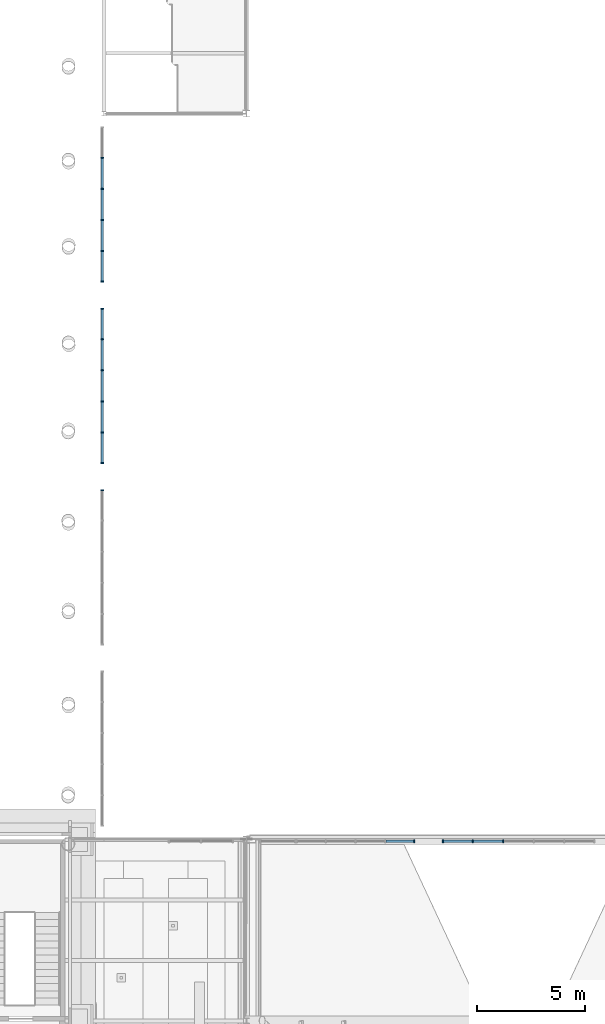
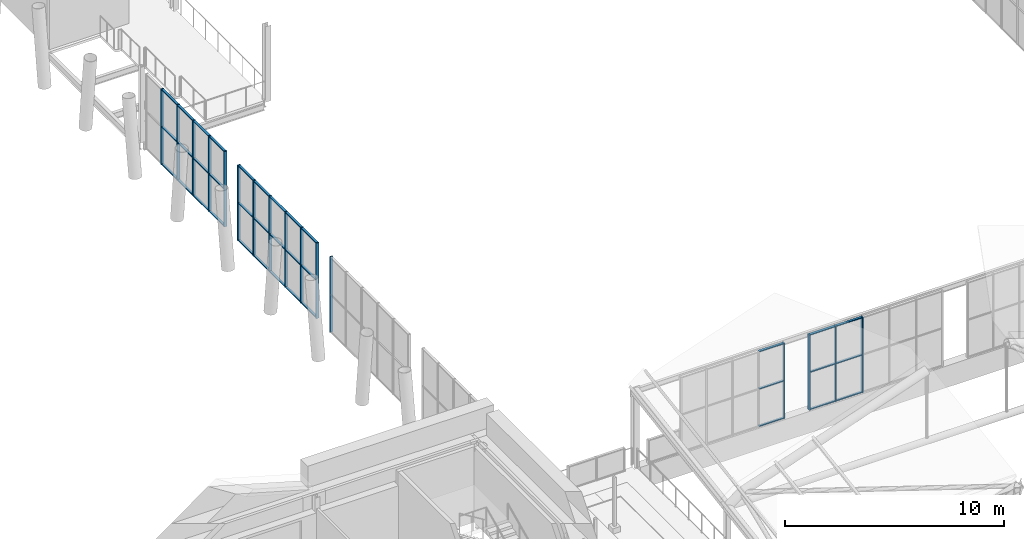
# One storey, part 20 of 76: 52 members, 5 elements without a shape of their own.
"""IFC4 building model written with IfcOpenShell, lengths in metres."""

from ifc_helpers import new_model, si_unit, direction, frame, origin, origin_2d, place, context, subcontext, project, spatial, rectangle, extrude, material, material_profile, profile_set, type_object, element, aggregate, save


model = new_model("IFC4")

# Units and contexts
model_context = context("Model", 3, precision=1e-05, world=origin(), true_north=direction((0.0, 1.0)))
body_context = subcontext(model_context, "Body", "Model", "MODEL_VIEW")
ifc_project = project(units=[si_unit("LENGTHUNIT", "METRE"), si_unit("AREAUNIT", "SQUARE_METRE"), si_unit("VOLUMEUNIT", "CUBIC_METRE"), si_unit("PLANEANGLEUNIT", "RADIAN"), si_unit("MASSUNIT", "GRAM", prefix="KILO")], contexts=[model_context])

# Site, building, storey
site_placement = place(None, origin())
site = spatial("IfcSite", under=ifc_project, at=site_placement, CompositionType="ELEMENT")
building_placement = place(site_placement, origin())
building = spatial("IfcBuilding", under=site, at=building_placement, Name="Sava Quay Ferry Terminal", CompositionType="ELEMENT")
storey_placement = place(building_placement, frame((0.0, 0.0, 10.800048828125)))
storey = spatial("IfcBuildingStorey", under=building, at=storey_placement, Name="L02", CompositionType="ELEMENT", Elevation=10.800048828125)

# Curtain wall, member
ifc_material_1 = material(Name="Aluminium and glass curtain wall, double low-e glazed", Category="aluminium")
curtain_wall_type_1 = type_object("IfcCurtainWallType", Name="Curtain wall CW-G gable", PredefinedType="NOTDEFINED", material=ifc_material_1)
curtain_wall_1_placement = place(storey_placement, origin())
curtain_wall_1 = element("IfcCurtainWall", 1, at=curtain_wall_1_placement, inside=storey, type_object=curtain_wall_type_1, Name="Curtain wall D-S L02 bay 21", PredefinedType="NOTDEFINED")
ifc_material_2 = material(Name="Aluminium EN AW-6063 T6", Category="aluminium")
ifc_material_profile_1 = material_profile(ifc_material_2, rectangle(XDim=0.14990234375, YDim=0.06005859375, at=origin_2d()), Name="Mullion 60x150 aluminium")
ifc_profile_set_1 = profile_set([ifc_material_profile_1], Name="Aluminium EN AW-6063 T6")
member_type_1 = type_object("IfcMemberType", Name="Mullion 60x150 aluminium", PredefinedType="MULLION", material=ifc_profile_set_1)
member_1_placement = place(storey_placement, frame((58.169921875, 50.31494140625, 0.0), z_axis=(0.0, 0.0, 1.0), x_axis=(0.0, 1.0, 0.0)))
member_1 = element("IfcMember", 2, at=member_1_placement, type_object=member_type_1, Name="CW90 mullion 5", PredefinedType="MULLION", context=body_context, shape_type="SweptSolid", body=[
    extrude(rectangle(XDim=0.14990234375, YDim=0.06005859375, at=origin_2d()), origin(), (0.0, 0.0, 1.0), 4.199951171875),
])

# Curtain wall, members
curtain_wall_2_placement = place(storey_placement, origin())
curtain_wall_2 = element("IfcCurtainWall", 3, at=curtain_wall_2_placement, inside=storey, type_object=curtain_wall_type_1, Name="Curtain wall D-S L02 bay 31", PredefinedType="NOTDEFINED")
member_2_placement = place(storey_placement, frame((59.5, 50.31494140625, 0.0), z_axis=(0.0, 0.0, 1.0), x_axis=(0.0, 1.0, 0.0)))
member_2 = element("IfcMember", 4, at=member_2_placement, type_object=member_type_1, Name="CW91 mullion 1", PredefinedType="MULLION", context=body_context, shape_type="SweptSolid", body=[
    extrude(rectangle(XDim=0.14990234375, YDim=0.06005859375, at=origin_2d()), origin(), (0.0, 0.0, 1.0), 4.199951171875),
])
member_3_placement = place(storey_placement, frame((60.882080078125, 50.31494140625, 0.0), z_axis=(0.0, 0.0, 1.0), x_axis=(0.0, 1.0, 0.0)))
member_3 = element("IfcMember", 5, at=member_3_placement, type_object=member_type_1, Name="CW91 mullion 2", PredefinedType="MULLION", context=body_context, shape_type="SweptSolid", body=[
    extrude(rectangle(XDim=0.14990234375, YDim=0.06005859375, at=origin_2d()), origin(), (0.0, 0.0, 1.0), 4.199951171875),
])
member_4_placement = place(storey_placement, frame((62.2939453125, 50.31494140625, 0.0), z_axis=(0.0, 0.0, 1.0), x_axis=(0.0, 1.0, 0.0)))
member_4 = element("IfcMember", 6, at=member_4_placement, type_object=member_type_1, Name="CW91 mullion 3", PredefinedType="MULLION", context=body_context, shape_type="SweptSolid", body=[
    extrude(rectangle(XDim=0.14990234375, YDim=0.06005859375, at=origin_2d()), origin(), (0.0, 0.0, 1.0), 4.199951171875),
])

# Curtain wall, member
ifc_material_3 = material(Name="Aluminium and glass curtain wall, double low-e glazed", Category="aluminium")
curtain_wall_type_2 = type_object("IfcCurtainWallType", Name="Curtain wall CW-F flank", PredefinedType="NOTDEFINED", material=ifc_material_3)
curtain_wall_3_placement = place(storey_placement, origin())
curtain_wall_3 = element("IfcCurtainWall", 7, at=curtain_wall_3_placement, inside=storey, type_object=curtain_wall_type_2, Name="Curtain wall D-W L02 bay 2", PredefinedType="NOTDEFINED")
member_5_placement = place(storey_placement, frame((43.72509765625, 66.570068359375, 0.0), z_axis=(0.0, 0.0, 1.0), x_axis=(-1.0, 0.0, 0.0)))
member_5 = element("IfcMember", 8, at=member_5_placement, type_object=member_type_1, Name="CW101 mullion 6", PredefinedType="MULLION", context=body_context, shape_type="SweptSolid", body=[
    extrude(rectangle(XDim=0.14990234375, YDim=0.06005859375, at=origin_2d()), origin(), (0.0, 0.0, 1.0), 4.199951171875),
])
aggregate(curtain_wall_3, [member_5])

# Curtain wall, members
curtain_wall_4_placement = place(storey_placement, origin())
curtain_wall_4 = element("IfcCurtainWall", 9, at=curtain_wall_4_placement, inside=storey, type_object=curtain_wall_type_2, Name="Curtain wall D-W L02 bay 3", PredefinedType="NOTDEFINED")
member_6_placement = place(storey_placement, frame((43.72509765625, 67.830078125, 0.0), z_axis=(0.0, 0.0, 1.0), x_axis=(-1.0, 0.0, 0.0)))
member_6 = element("IfcMember", 10, at=member_6_placement, type_object=member_type_1, Name="CW105 mullion 1", PredefinedType="MULLION", context=body_context, shape_type="SweptSolid", body=[
    extrude(rectangle(XDim=0.14990234375, YDim=0.06005859375, at=origin_2d()), origin(), (0.0, 0.0, 1.0), 4.199951171875),
])
member_7_placement = place(storey_placement, frame((43.72509765625, 69.239990234375, 0.0), z_axis=(0.0, 0.0, 1.0), x_axis=(-1.0, 0.0, 0.0)))
member_7 = element("IfcMember", 11, at=member_7_placement, type_object=member_type_1, Name="CW105 mullion 2", PredefinedType="MULLION", context=body_context, shape_type="SweptSolid", body=[
    extrude(rectangle(XDim=0.14990234375, YDim=0.06005859375, at=origin_2d()), origin(), (0.0, 0.0, 1.0), 4.199951171875),
])
member_8_placement = place(storey_placement, frame((43.72509765625, 70.679931640625, 0.0), z_axis=(0.0, 0.0, 1.0), x_axis=(-1.0, 0.0, 0.0)))
member_8 = element("IfcMember", 12, at=member_8_placement, type_object=member_type_1, Name="CW105 mullion 3", PredefinedType="MULLION", context=body_context, shape_type="SweptSolid", body=[
    extrude(rectangle(XDim=0.14990234375, YDim=0.06005859375, at=origin_2d()), origin(), (0.0, 0.0, 1.0), 4.199951171875),
])
member_9_placement = place(storey_placement, frame((43.72509765625, 72.1201171875, 0.0), z_axis=(0.0, 0.0, 1.0), x_axis=(-1.0, 0.0, 0.0)))
member_9 = element("IfcMember", 13, at=member_9_placement, type_object=member_type_1, Name="CW105 mullion 4", PredefinedType="MULLION", context=body_context, shape_type="SweptSolid", body=[
    extrude(rectangle(XDim=0.14990234375, YDim=0.06005859375, at=origin_2d()), origin(), (0.0, 0.0, 1.0), 4.199951171875),
])
member_10_placement = place(storey_placement, frame((43.72509765625, 73.56005859375, 0.0), z_axis=(0.0, 0.0, 1.0), x_axis=(-1.0, 0.0, 0.0)))
member_10 = element("IfcMember", 14, at=member_10_placement, type_object=member_type_1, Name="CW105 mullion 5", PredefinedType="MULLION", context=body_context, shape_type="SweptSolid", body=[
    extrude(rectangle(XDim=0.14990234375, YDim=0.06005859375, at=origin_2d()), origin(), (0.0, 0.0, 1.0), 4.199951171875),
])
member_11_placement = place(storey_placement, frame((43.72509765625, 74.969970703125, 0.0), z_axis=(0.0, 0.0, 1.0), x_axis=(-1.0, 0.0, 0.0)))
member_11 = element("IfcMember", 15, at=member_11_placement, type_object=member_type_1, Name="CW105 mullion 6", PredefinedType="MULLION", context=body_context, shape_type="SweptSolid", body=[
    extrude(rectangle(XDim=0.14990234375, YDim=0.06005859375, at=origin_2d()), origin(), (0.0, 0.0, 1.0), 4.199951171875),
])

curtain_wall_5_placement = place(storey_placement, origin())
curtain_wall_5 = element("IfcCurtainWall", 16, at=curtain_wall_5_placement, inside=storey, type_object=curtain_wall_type_2, Name="Curtain wall D-W L02 bay 4", PredefinedType="NOTDEFINED")
member_12_placement = place(storey_placement, frame((43.72509765625, 76.22998046875, 0.0), z_axis=(0.0, 0.0, 1.0), x_axis=(-1.0, 0.0, 0.0)))
member_12 = element("IfcMember", 17, at=member_12_placement, type_object=member_type_1, Name="CW108 mullion 1", PredefinedType="MULLION", context=body_context, shape_type="SweptSolid", body=[
    extrude(rectangle(XDim=0.14990234375, YDim=0.06005859375, at=origin_2d()), origin(), (0.0, 0.0, 1.0), 4.199951171875),
])
member_13_placement = place(storey_placement, frame((43.72509765625, 77.639892578125, 0.0), z_axis=(0.0, 0.0, 1.0), x_axis=(-1.0, 0.0, 0.0)))
member_13 = element("IfcMember", 18, at=member_13_placement, type_object=member_type_1, Name="CW108 mullion 2", PredefinedType="MULLION", context=body_context, shape_type="SweptSolid", body=[
    extrude(rectangle(XDim=0.14990234375, YDim=0.06005859375, at=origin_2d()), origin(), (0.0, 0.0, 1.0), 4.199951171875),
])
member_14_placement = place(storey_placement, frame((43.72509765625, 79.080078125, 0.0), z_axis=(0.0, 0.0, 1.0), x_axis=(-1.0, 0.0, 0.0)))
member_14 = element("IfcMember", 19, at=member_14_placement, type_object=member_type_1, Name="CW108 mullion 3", PredefinedType="MULLION", context=body_context, shape_type="SweptSolid", body=[
    extrude(rectangle(XDim=0.14990234375, YDim=0.06005859375, at=origin_2d()), origin(), (0.0, 0.0, 1.0), 4.199951171875),
])
member_15_placement = place(storey_placement, frame((43.72509765625, 80.52001953125, 0.0), z_axis=(0.0, 0.0, 1.0), x_axis=(-1.0, 0.0, 0.0)))
member_15 = element("IfcMember", 20, at=member_15_placement, type_object=member_type_1, Name="CW108 mullion 4", PredefinedType="MULLION", context=body_context, shape_type="SweptSolid", body=[
    extrude(rectangle(XDim=0.14990234375, YDim=0.06005859375, at=origin_2d()), origin(), (0.0, 0.0, 1.0), 4.199951171875),
])
member_16_placement = place(storey_placement, frame((43.72509765625, 81.9599609375, 0.0), z_axis=(0.0, 0.0, 1.0), x_axis=(-1.0, 0.0, 0.0)))
member_16 = element("IfcMember", 21, at=member_16_placement, type_object=member_type_1, Name="CW108 mullion 5", PredefinedType="MULLION", context=body_context, shape_type="SweptSolid", body=[
    extrude(rectangle(XDim=0.14990234375, YDim=0.06005859375, at=origin_2d()), origin(), (0.0, 0.0, 1.0), 4.199951171875),
])

# Member
ifc_material_4 = material(Name="Aluminium EN AW-6063 T6", Category="aluminium")
ifc_material_profile_2 = material_profile(ifc_material_4, rectangle(XDim=0.1201171875, YDim=0.050048828125, at=origin_2d()), Name="Transom 50x120 aluminium")
ifc_profile_set_2 = profile_set([ifc_material_profile_2], Name="Aluminium EN AW-6063 T6")
member_type_2 = type_object("IfcMemberType", Name="Transom 50x120 aluminium", PredefinedType="USERDEFINED", material=ifc_profile_set_2)
member_17_placement = place(storey_placement, frame((56.85498046875, 50.31494140625, 0.02490234375), z_axis=(1.0, 0.0, 0.0), x_axis=(0.0, 1.0, 0.0)))
member_17 = element("IfcMember", 22, at=member_17_placement, type_object=member_type_2, Name="CW90 transom 4.1", ObjectType="TRANSOM", PredefinedType="USERDEFINED", context=body_context, shape_type="SweptSolid", body=[
    extrude(rectangle(XDim=0.1201171875, YDim=0.050048828125, at=origin_2d()), origin(), (0.0, 0.0, 1.0), 1.284912109375),
])

member_18_placement = place(storey_placement, frame((56.85498046875, 50.31494140625, 2.099853515625), z_axis=(1.0, 0.0, 0.0), x_axis=(0.0, 1.0, 0.0)))
member_18 = element("IfcMember", 23, at=member_18_placement, type_object=member_type_2, Name="CW90 transom 4.2", ObjectType="TRANSOM", PredefinedType="USERDEFINED", context=body_context, shape_type="SweptSolid", body=[
    extrude(rectangle(XDim=0.1201171875, YDim=0.050048828125, at=origin_2d()), origin(), (0.0, 0.0, 1.0), 1.284912109375),
])

member_19_placement = place(storey_placement, frame((56.85498046875, 50.31494140625, 4.175048828125), z_axis=(1.0, 0.0, 0.0), x_axis=(0.0, 1.0, 0.0)))
member_19 = element("IfcMember", 24, at=member_19_placement, type_object=member_type_2, Name="CW90 transom 4.3", ObjectType="TRANSOM", PredefinedType="USERDEFINED", context=body_context, shape_type="SweptSolid", body=[
    extrude(rectangle(XDim=0.1201171875, YDim=0.050048828125, at=origin_2d()), origin(), (0.0, 0.0, 1.0), 1.284912109375),
])

aggregate(curtain_wall_1, [member_1, member_17, member_18, member_19])

member_20_placement = place(storey_placement, frame((59.530029296875, 50.31494140625, 0.02490234375), z_axis=(1.0, 0.0, 0.0), x_axis=(0.0, 1.0, 0.0)))
member_20 = element("IfcMember", 25, at=member_20_placement, type_object=member_type_2, Name="CW91 transom 1.1", ObjectType="TRANSOM", PredefinedType="USERDEFINED", context=body_context, shape_type="SweptSolid", body=[
    extrude(rectangle(XDim=0.1201171875, YDim=0.050048828125, at=origin_2d()), origin(), (0.0, 0.0, 1.0), 1.322021484375),
])

member_21_placement = place(storey_placement, frame((59.530029296875, 50.31494140625, 2.099853515625), z_axis=(1.0, 0.0, 0.0), x_axis=(0.0, 1.0, 0.0)))
member_21 = element("IfcMember", 26, at=member_21_placement, type_object=member_type_2, Name="CW91 transom 1.2", ObjectType="TRANSOM", PredefinedType="USERDEFINED", context=body_context, shape_type="SweptSolid", body=[
    extrude(rectangle(XDim=0.1201171875, YDim=0.050048828125, at=origin_2d()), origin(), (0.0, 0.0, 1.0), 1.322021484375),
])

member_22_placement = place(storey_placement, frame((59.530029296875, 50.31494140625, 4.175048828125), z_axis=(1.0, 0.0, 0.0), x_axis=(0.0, 1.0, 0.0)))
member_22 = element("IfcMember", 27, at=member_22_placement, type_object=member_type_2, Name="CW91 transom 1.3", ObjectType="TRANSOM", PredefinedType="USERDEFINED", context=body_context, shape_type="SweptSolid", body=[
    extrude(rectangle(XDim=0.1201171875, YDim=0.050048828125, at=origin_2d()), origin(), (0.0, 0.0, 1.0), 1.322021484375),
])

member_23_placement = place(storey_placement, frame((60.912109375, 50.31494140625, 0.02490234375), z_axis=(1.0, 0.0, 0.0), x_axis=(0.0, 1.0, 0.0)))
member_23 = element("IfcMember", 28, at=member_23_placement, type_object=member_type_2, Name="CW91 transom 2.1", ObjectType="TRANSOM", PredefinedType="USERDEFINED", context=body_context, shape_type="SweptSolid", body=[
    extrude(rectangle(XDim=0.1201171875, YDim=0.050048828125, at=origin_2d()), origin(), (0.0, 0.0, 1.0), 1.351806640625),
])

member_24_placement = place(storey_placement, frame((60.912109375, 50.31494140625, 2.099853515625), z_axis=(1.0, 0.0, 0.0), x_axis=(0.0, 1.0, 0.0)))
member_24 = element("IfcMember", 29, at=member_24_placement, type_object=member_type_2, Name="CW91 transom 2.2", ObjectType="TRANSOM", PredefinedType="USERDEFINED", context=body_context, shape_type="SweptSolid", body=[
    extrude(rectangle(XDim=0.1201171875, YDim=0.050048828125, at=origin_2d()), origin(), (0.0, 0.0, 1.0), 1.351806640625),
])

member_25_placement = place(storey_placement, frame((60.912109375, 50.31494140625, 4.175048828125), z_axis=(1.0, 0.0, 0.0), x_axis=(0.0, 1.0, 0.0)))
member_25 = element("IfcMember", 30, at=member_25_placement, type_object=member_type_2, Name="CW91 transom 2.3", ObjectType="TRANSOM", PredefinedType="USERDEFINED", context=body_context, shape_type="SweptSolid", body=[
    extrude(rectangle(XDim=0.1201171875, YDim=0.050048828125, at=origin_2d()), origin(), (0.0, 0.0, 1.0), 1.351806640625),
])

aggregate(curtain_wall_2, [member_2, member_3, member_4, member_20, member_21, member_22, member_23, member_24, member_25])

member_26_placement = place(storey_placement, frame((43.72509765625, 67.860107421875, 0.02490234375), z_axis=(0.0, 1.0, 0.0), x_axis=(-1.0, 0.0, 0.0)))
member_26 = element("IfcMember", 31, at=member_26_placement, type_object=member_type_2, Name="CW105 transom 1.1", ObjectType="TRANSOM", PredefinedType="USERDEFINED", context=body_context, shape_type="SweptSolid", body=[
    extrude(rectangle(XDim=0.1201171875, YDim=0.050048828125, at=origin_2d()), origin(), (0.0, 0.0, 1.0), 1.349853515625),
])

member_27_placement = place(storey_placement, frame((43.72509765625, 67.860107421875, 2.099853515625), z_axis=(0.0, 1.0, 0.0), x_axis=(-1.0, 0.0, 0.0)))
member_27 = element("IfcMember", 32, at=member_27_placement, type_object=member_type_2, Name="CW105 transom 1.2", ObjectType="TRANSOM", PredefinedType="USERDEFINED", context=body_context, shape_type="SweptSolid", body=[
    extrude(rectangle(XDim=0.1201171875, YDim=0.050048828125, at=origin_2d()), origin(), (0.0, 0.0, 1.0), 1.349853515625),
])

member_28_placement = place(storey_placement, frame((43.72509765625, 67.860107421875, 4.175048828125), z_axis=(0.0, 1.0, 0.0), x_axis=(-1.0, 0.0, 0.0)))
member_28 = element("IfcMember", 33, at=member_28_placement, type_object=member_type_2, Name="CW105 transom 1.3", ObjectType="TRANSOM", PredefinedType="USERDEFINED", context=body_context, shape_type="SweptSolid", body=[
    extrude(rectangle(XDim=0.1201171875, YDim=0.050048828125, at=origin_2d()), origin(), (0.0, 0.0, 1.0), 1.349853515625),
])

member_29_placement = place(storey_placement, frame((43.72509765625, 69.27001953125, 0.02490234375), z_axis=(0.0, 1.0, 0.0), x_axis=(-1.0, 0.0, 0.0)))
member_29 = element("IfcMember", 34, at=member_29_placement, type_object=member_type_2, Name="CW105 transom 2.1", ObjectType="TRANSOM", PredefinedType="USERDEFINED", context=body_context, shape_type="SweptSolid", body=[
    extrude(rectangle(XDim=0.1201171875, YDim=0.050048828125, at=origin_2d()), origin(), (0.0, 0.0, 1.0), 1.3798828125),
])

member_30_placement = place(storey_placement, frame((43.72509765625, 69.27001953125, 2.099853515625), z_axis=(0.0, 1.0, 0.0), x_axis=(-1.0, 0.0, 0.0)))
member_30 = element("IfcMember", 35, at=member_30_placement, type_object=member_type_2, Name="CW105 transom 2.2", ObjectType="TRANSOM", PredefinedType="USERDEFINED", context=body_context, shape_type="SweptSolid", body=[
    extrude(rectangle(XDim=0.1201171875, YDim=0.050048828125, at=origin_2d()), origin(), (0.0, 0.0, 1.0), 1.3798828125),
])

member_31_placement = place(storey_placement, frame((43.72509765625, 69.27001953125, 4.175048828125), z_axis=(0.0, 1.0, 0.0), x_axis=(-1.0, 0.0, 0.0)))
member_31 = element("IfcMember", 36, at=member_31_placement, type_object=member_type_2, Name="CW105 transom 2.3", ObjectType="TRANSOM", PredefinedType="USERDEFINED", context=body_context, shape_type="SweptSolid", body=[
    extrude(rectangle(XDim=0.1201171875, YDim=0.050048828125, at=origin_2d()), origin(), (0.0, 0.0, 1.0), 1.3798828125),
])

member_32_placement = place(storey_placement, frame((43.72509765625, 70.7099609375, 0.02490234375), z_axis=(0.0, 1.0, 0.0), x_axis=(-1.0, 0.0, 0.0)))
member_32 = element("IfcMember", 37, at=member_32_placement, type_object=member_type_2, Name="CW105 transom 3.1", ObjectType="TRANSOM", PredefinedType="USERDEFINED", context=body_context, shape_type="SweptSolid", body=[
    extrude(rectangle(XDim=0.1201171875, YDim=0.050048828125, at=origin_2d()), origin(), (0.0, 0.0, 1.0), 1.380126953125),
])

member_33_placement = place(storey_placement, frame((43.72509765625, 70.7099609375, 2.099853515625), z_axis=(0.0, 1.0, 0.0), x_axis=(-1.0, 0.0, 0.0)))
member_33 = element("IfcMember", 38, at=member_33_placement, type_object=member_type_2, Name="CW105 transom 3.2", ObjectType="TRANSOM", PredefinedType="USERDEFINED", context=body_context, shape_type="SweptSolid", body=[
    extrude(rectangle(XDim=0.1201171875, YDim=0.050048828125, at=origin_2d()), origin(), (0.0, 0.0, 1.0), 1.380126953125),
])

member_34_placement = place(storey_placement, frame((43.72509765625, 70.7099609375, 4.175048828125), z_axis=(0.0, 1.0, 0.0), x_axis=(-1.0, 0.0, 0.0)))
member_34 = element("IfcMember", 39, at=member_34_placement, type_object=member_type_2, Name="CW105 transom 3.3", ObjectType="TRANSOM", PredefinedType="USERDEFINED", context=body_context, shape_type="SweptSolid", body=[
    extrude(rectangle(XDim=0.1201171875, YDim=0.050048828125, at=origin_2d()), origin(), (0.0, 0.0, 1.0), 1.380126953125),
])

member_35_placement = place(storey_placement, frame((43.72509765625, 72.14990234375, 0.02490234375), z_axis=(0.0, 1.0, 0.0), x_axis=(-1.0, 0.0, 0.0)))
member_35 = element("IfcMember", 40, at=member_35_placement, type_object=member_type_2, Name="CW105 transom 4.1", ObjectType="TRANSOM", PredefinedType="USERDEFINED", context=body_context, shape_type="SweptSolid", body=[
    extrude(rectangle(XDim=0.1201171875, YDim=0.050048828125, at=origin_2d()), origin(), (0.0, 0.0, 1.0), 1.380126953125),
])

member_36_placement = place(storey_placement, frame((43.72509765625, 72.14990234375, 2.099853515625), z_axis=(0.0, 1.0, 0.0), x_axis=(-1.0, 0.0, 0.0)))
member_36 = element("IfcMember", 41, at=member_36_placement, type_object=member_type_2, Name="CW105 transom 4.2", ObjectType="TRANSOM", PredefinedType="USERDEFINED", context=body_context, shape_type="SweptSolid", body=[
    extrude(rectangle(XDim=0.1201171875, YDim=0.050048828125, at=origin_2d()), origin(), (0.0, 0.0, 1.0), 1.380126953125),
])

member_37_placement = place(storey_placement, frame((43.72509765625, 72.14990234375, 4.175048828125), z_axis=(0.0, 1.0, 0.0), x_axis=(-1.0, 0.0, 0.0)))
member_37 = element("IfcMember", 42, at=member_37_placement, type_object=member_type_2, Name="CW105 transom 4.3", ObjectType="TRANSOM", PredefinedType="USERDEFINED", context=body_context, shape_type="SweptSolid", body=[
    extrude(rectangle(XDim=0.1201171875, YDim=0.050048828125, at=origin_2d()), origin(), (0.0, 0.0, 1.0), 1.380126953125),
])

member_38_placement = place(storey_placement, frame((43.72509765625, 73.590087890625, 0.02490234375), z_axis=(0.0, 1.0, 0.0), x_axis=(-1.0, 0.0, 0.0)))
member_38 = element("IfcMember", 43, at=member_38_placement, type_object=member_type_2, Name="CW105 transom 5.1", ObjectType="TRANSOM", PredefinedType="USERDEFINED", context=body_context, shape_type="SweptSolid", body=[
    extrude(rectangle(XDim=0.1201171875, YDim=0.050048828125, at=origin_2d()), origin(), (0.0, 0.0, 1.0), 1.349853515625),
])

member_39_placement = place(storey_placement, frame((43.72509765625, 73.590087890625, 2.099853515625), z_axis=(0.0, 1.0, 0.0), x_axis=(-1.0, 0.0, 0.0)))
member_39 = element("IfcMember", 44, at=member_39_placement, type_object=member_type_2, Name="CW105 transom 5.2", ObjectType="TRANSOM", PredefinedType="USERDEFINED", context=body_context, shape_type="SweptSolid", body=[
    extrude(rectangle(XDim=0.1201171875, YDim=0.050048828125, at=origin_2d()), origin(), (0.0, 0.0, 1.0), 1.349853515625),
])

member_40_placement = place(storey_placement, frame((43.72509765625, 73.590087890625, 4.175048828125), z_axis=(0.0, 1.0, 0.0), x_axis=(-1.0, 0.0, 0.0)))
member_40 = element("IfcMember", 45, at=member_40_placement, type_object=member_type_2, Name="CW105 transom 5.3", ObjectType="TRANSOM", PredefinedType="USERDEFINED", context=body_context, shape_type="SweptSolid", body=[
    extrude(rectangle(XDim=0.1201171875, YDim=0.050048828125, at=origin_2d()), origin(), (0.0, 0.0, 1.0), 1.349853515625),
])

aggregate(curtain_wall_4, [member_6, member_7, member_8, member_9, member_10, member_11, member_26, member_27, member_28, member_29, member_30, member_31, member_32, member_33, member_34, member_35, member_36, member_37, member_38, member_39, member_40])

member_41_placement = place(storey_placement, frame((43.72509765625, 76.260009765625, 0.02490234375), z_axis=(0.0, 1.0, 0.0), x_axis=(-1.0, 0.0, 0.0)))
member_41 = element("IfcMember", 46, at=member_41_placement, type_object=member_type_2, Name="CW108 transom 1.1", ObjectType="TRANSOM", PredefinedType="USERDEFINED", context=body_context, shape_type="SweptSolid", body=[
    extrude(rectangle(XDim=0.1201171875, YDim=0.050048828125, at=origin_2d()), origin(), (0.0, 0.0, 1.0), 1.35009765625),
])

member_42_placement = place(storey_placement, frame((43.72509765625, 76.260009765625, 2.099853515625), z_axis=(0.0, 1.0, 0.0), x_axis=(-1.0, 0.0, 0.0)))
member_42 = element("IfcMember", 47, at=member_42_placement, type_object=member_type_2, Name="CW108 transom 1.2", ObjectType="TRANSOM", PredefinedType="USERDEFINED", context=body_context, shape_type="SweptSolid", body=[
    extrude(rectangle(XDim=0.1201171875, YDim=0.050048828125, at=origin_2d()), origin(), (0.0, 0.0, 1.0), 1.35009765625),
])

member_43_placement = place(storey_placement, frame((43.72509765625, 76.260009765625, 4.175048828125), z_axis=(0.0, 1.0, 0.0), x_axis=(-1.0, 0.0, 0.0)))
member_43 = element("IfcMember", 48, at=member_43_placement, type_object=member_type_2, Name="CW108 transom 1.3", ObjectType="TRANSOM", PredefinedType="USERDEFINED", context=body_context, shape_type="SweptSolid", body=[
    extrude(rectangle(XDim=0.1201171875, YDim=0.050048828125, at=origin_2d()), origin(), (0.0, 0.0, 1.0), 1.35009765625),
])

member_44_placement = place(storey_placement, frame((43.72509765625, 77.669921875, 0.02490234375), z_axis=(0.0, 1.0, 0.0), x_axis=(-1.0, 0.0, 0.0)))
member_44 = element("IfcMember", 49, at=member_44_placement, type_object=member_type_2, Name="CW108 transom 2.1", ObjectType="TRANSOM", PredefinedType="USERDEFINED", context=body_context, shape_type="SweptSolid", body=[
    extrude(rectangle(XDim=0.1201171875, YDim=0.050048828125, at=origin_2d()), origin(), (0.0, 0.0, 1.0), 1.380126953125),
])

member_45_placement = place(storey_placement, frame((43.72509765625, 77.669921875, 2.099853515625), z_axis=(0.0, 1.0, 0.0), x_axis=(-1.0, 0.0, 0.0)))
member_45 = element("IfcMember", 50, at=member_45_placement, type_object=member_type_2, Name="CW108 transom 2.2", ObjectType="TRANSOM", PredefinedType="USERDEFINED", context=body_context, shape_type="SweptSolid", body=[
    extrude(rectangle(XDim=0.1201171875, YDim=0.050048828125, at=origin_2d()), origin(), (0.0, 0.0, 1.0), 1.380126953125),
])

member_46_placement = place(storey_placement, frame((43.72509765625, 77.669921875, 4.175048828125), z_axis=(0.0, 1.0, 0.0), x_axis=(-1.0, 0.0, 0.0)))
member_46 = element("IfcMember", 51, at=member_46_placement, type_object=member_type_2, Name="CW108 transom 2.3", ObjectType="TRANSOM", PredefinedType="USERDEFINED", context=body_context, shape_type="SweptSolid", body=[
    extrude(rectangle(XDim=0.1201171875, YDim=0.050048828125, at=origin_2d()), origin(), (0.0, 0.0, 1.0), 1.380126953125),
])

member_47_placement = place(storey_placement, frame((43.72509765625, 79.110107421875, 0.02490234375), z_axis=(0.0, 1.0, 0.0), x_axis=(-1.0, 0.0, 0.0)))
member_47 = element("IfcMember", 52, at=member_47_placement, type_object=member_type_2, Name="CW108 transom 3.1", ObjectType="TRANSOM", PredefinedType="USERDEFINED", context=body_context, shape_type="SweptSolid", body=[
    extrude(rectangle(XDim=0.1201171875, YDim=0.050048828125, at=origin_2d()), origin(), (0.0, 0.0, 1.0), 1.3798828125),
])

member_48_placement = place(storey_placement, frame((43.72509765625, 79.110107421875, 2.099853515625), z_axis=(0.0, 1.0, 0.0), x_axis=(-1.0, 0.0, 0.0)))
member_48 = element("IfcMember", 53, at=member_48_placement, type_object=member_type_2, Name="CW108 transom 3.2", ObjectType="TRANSOM", PredefinedType="USERDEFINED", context=body_context, shape_type="SweptSolid", body=[
    extrude(rectangle(XDim=0.1201171875, YDim=0.050048828125, at=origin_2d()), origin(), (0.0, 0.0, 1.0), 1.3798828125),
])

member_49_placement = place(storey_placement, frame((43.72509765625, 79.110107421875, 4.175048828125), z_axis=(0.0, 1.0, 0.0), x_axis=(-1.0, 0.0, 0.0)))
member_49 = element("IfcMember", 54, at=member_49_placement, type_object=member_type_2, Name="CW108 transom 3.3", ObjectType="TRANSOM", PredefinedType="USERDEFINED", context=body_context, shape_type="SweptSolid", body=[
    extrude(rectangle(XDim=0.1201171875, YDim=0.050048828125, at=origin_2d()), origin(), (0.0, 0.0, 1.0), 1.3798828125),
])

member_50_placement = place(storey_placement, frame((43.72509765625, 80.550048828125, 0.02490234375), z_axis=(0.0, 1.0, 0.0), x_axis=(-1.0, 0.0, 0.0)))
member_50 = element("IfcMember", 55, at=member_50_placement, type_object=member_type_2, Name="CW108 transom 4.1", ObjectType="TRANSOM", PredefinedType="USERDEFINED", context=body_context, shape_type="SweptSolid", body=[
    extrude(rectangle(XDim=0.1201171875, YDim=0.050048828125, at=origin_2d()), origin(), (0.0, 0.0, 1.0), 1.3798828125),
])

member_51_placement = place(storey_placement, frame((43.72509765625, 80.550048828125, 2.099853515625), z_axis=(0.0, 1.0, 0.0), x_axis=(-1.0, 0.0, 0.0)))
member_51 = element("IfcMember", 56, at=member_51_placement, type_object=member_type_2, Name="CW108 transom 4.2", ObjectType="TRANSOM", PredefinedType="USERDEFINED", context=body_context, shape_type="SweptSolid", body=[
    extrude(rectangle(XDim=0.1201171875, YDim=0.050048828125, at=origin_2d()), origin(), (0.0, 0.0, 1.0), 1.3798828125),
])

member_52_placement = place(storey_placement, frame((43.72509765625, 80.550048828125, 4.175048828125), z_axis=(0.0, 1.0, 0.0), x_axis=(-1.0, 0.0, 0.0)))
member_52 = element("IfcMember", 57, at=member_52_placement, type_object=member_type_2, Name="CW108 transom 4.3", ObjectType="TRANSOM", PredefinedType="USERDEFINED", context=body_context, shape_type="SweptSolid", body=[
    extrude(rectangle(XDim=0.1201171875, YDim=0.050048828125, at=origin_2d()), origin(), (0.0, 0.0, 1.0), 1.3798828125),
])

aggregate(curtain_wall_5, [member_12, member_13, member_14, member_15, member_16, member_41, member_42, member_43, member_44, member_45, member_46, member_47, member_48, member_49, member_50, member_51, member_52])

save(model, "model.ifc")
